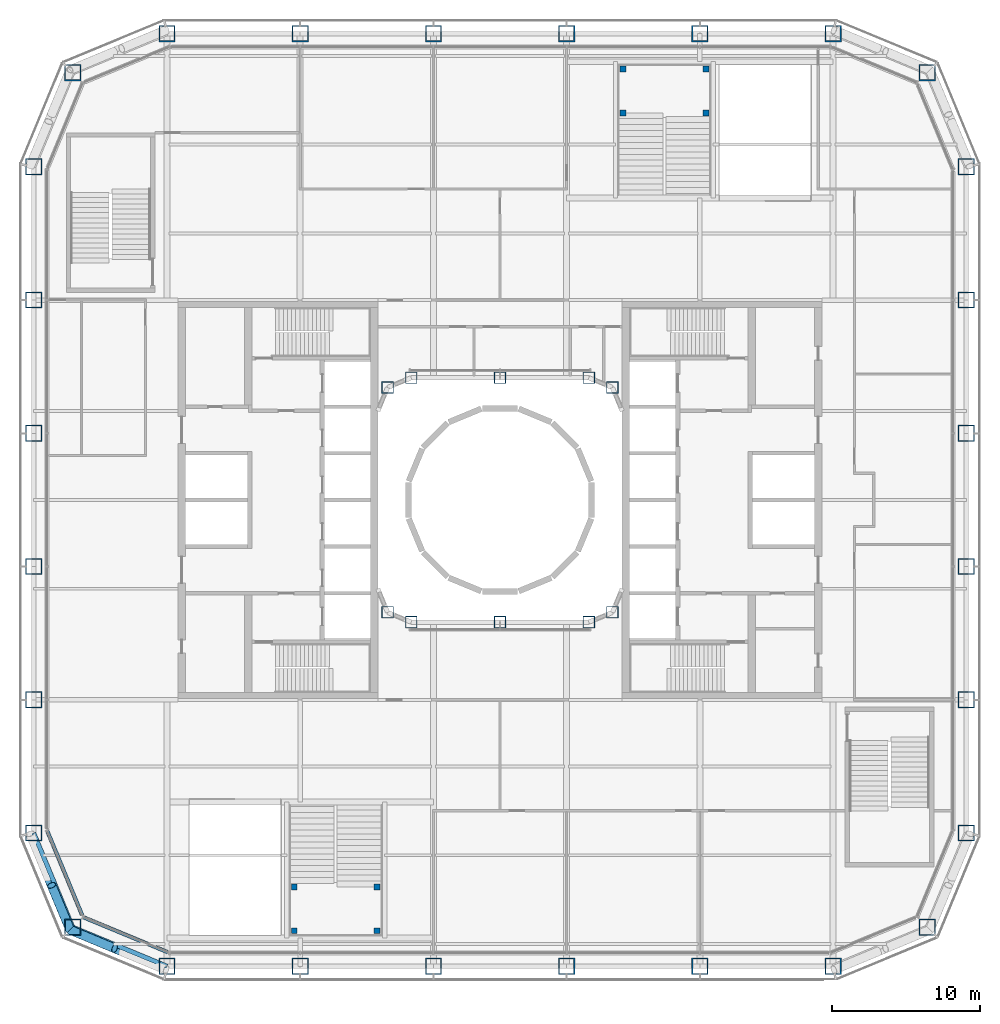
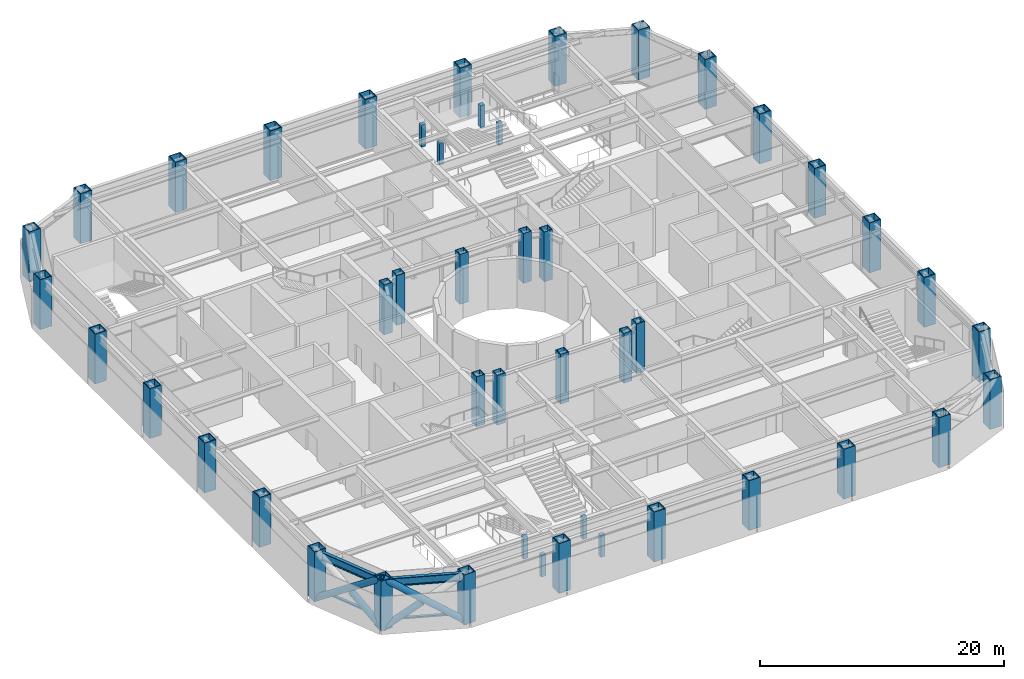
# One storey, part 1 of 25: 46 columns, 6 members, 2 beams, 2 elements without a shape of their own.
"""IFC4 building model written with IfcOpenShell, lengths in metres."""

from ifc_helpers import new_model, si_unit, direction, frame, origin, origin_2d, place, context, subcontext, project, spatial, rectangle, hollow_rectangle, hollow_circle, i_section, extrude, material, layer, layer_set, material_profile, profile_set, type_object, element, aggregate, save


model = new_model("IFC4")

# Units and contexts
model_context = context("Model", 3, precision=1e-05, world=origin(), true_north=direction((0.0, 1.0)))
body_context = subcontext(model_context, "Body", "Model", "MODEL_VIEW")
ifc_project = project(units=[si_unit("LENGTHUNIT", "METRE"), si_unit("AREAUNIT", "SQUARE_METRE"), si_unit("VOLUMEUNIT", "CUBIC_METRE"), si_unit("PLANEANGLEUNIT", "RADIAN"), si_unit("MASSUNIT", "GRAM", prefix="KILO")], contexts=[model_context])

# Site, building, storey
site_placement = place(None, origin())
site = spatial("IfcSite", under=ifc_project, at=site_placement, CompositionType="ELEMENT")
building_placement = place(site_placement, origin())
building = spatial("IfcBuilding", under=site, at=building_placement, Name="Siwar Civic Tower", CompositionType="ELEMENT")
storey_placement = place(building_placement, frame((0.0, 0.0, 7.199951171875)))
storey = spatial("IfcBuildingStorey", under=building, at=storey_placement, Name="L01", CompositionType="ELEMENT", Elevation=7.199951171875)

# Columns
ifc_material_1 = material(Name="Concrete C50/60", Category="concrete")
ifc_material_profile_1 = material_profile(ifc_material_1, rectangle(XDim=0.39990234375, YDim=0.39990234375, at=origin_2d()), Name="RC400x400")
ifc_profile_set_1 = profile_set([ifc_material_profile_1], Name="Concrete C50/60")
column_type_1 = type_object("IfcColumnType", Name="GND-GS-COLUMN", PredefinedType="COLUMN", material=ifc_profile_set_1)
for number, where, z_axis, x_axis, name in (
    (1, (-13.89990234375, -29.10009765625, 0.0), (0.0, 0.0, 1.0), (1.0, 0.0, 0.0), "L01/col/GS1-1-ao"),
    (2, (-13.89990234375, -26.14990234375, 0.0), (0.0, 0.0, 1.0), (1.0, 0.0, 0.0), "L01/col/GS1-1-ai"),
    (3, (-8.300048828125, -29.10009765625, 0.0), (0.0, 0.0, 1.0), (1.0, 0.0, 0.0), "L01/col/GS1-1-bo"),
    (4, (-8.300048828125, -26.14990234375, 0.0), (0.0, 0.0, 1.0), (1.0, 0.0, 0.0), "L01/col/GS1-1-bi"),
    (5, (8.300048828125, 29.10009765625, 0.0), (0.0, 0.0, 1.0), (1.0, 0.0, 0.0), "L01/col/GS2-1-ao"),
    (6, (8.300048828125, 26.14990234375, 0.0), (0.0, 0.0, 1.0), (1.0, 0.0, 0.0), "L01/col/GS2-1-ai"),
    (7, (13.89990234375, 29.10009765625, 0.0), (0.0, 0.0, 1.0), (1.0, 0.0, 0.0), "L01/col/GS2-1-bo"),
    (8, (13.89990234375, 26.14990234375, 0.0), (0.0, 0.0, 1.0), (1.0, 0.0, 0.0), "L01/col/GS2-1-bi"),
):
    element("IfcColumn", number, at=place(storey_placement, frame(where, z_axis=z_axis, x_axis=x_axis)), inside=storey, type_object=column_type_1, Name=name, PredefinedType="COLUMN", context=body_context, shape_type="SweptSolid", body=[
        extrude(rectangle(XDim=0.39990234375, YDim=0.39990234375, at=origin_2d()), origin(), (0.0, 0.0, 1.0), 2.199951171875),
    ])
ifc_material_2 = material(Name="Steel S460", Category="steel")
ifc_material_profile_2 = material_profile(ifc_material_2, hollow_rectangle(XDim=1.10009765625, YDim=1.10009765625, WallThickness=0.070068359375, at=origin_2d()), Name="BOX1100x1100x70")
ifc_profile_set_2 = profile_set([ifc_material_profile_2], Name="Steel S460")
column_type_2 = type_object("IfcColumnType", Name="STR-COL-BOX1100x1100x70", PredefinedType="COLUMN", material=ifc_profile_set_2)
for number, where, z_axis, x_axis, name in (
    (9, (-22.5, -31.5, 0.0), (0.0, 0.0, 1.0), (1.0, 0.0, 0.0), "L01/col/S-0"),
    (10, (-13.5, -31.5, 0.0), (0.0, 0.0, 1.0), (1.0, 0.0, 0.0), "L01/col/S-1"),
    (11, (-4.5, -31.5, 0.0), (0.0, 0.0, 1.0), (1.0, 0.0, 0.0), "L01/col/S-2"),
    (12, (4.5, -31.5, 0.0), (0.0, 0.0, 1.0), (1.0, 0.0, 0.0), "L01/col/S-3"),
    (13, (13.5, -31.5, 0.0), (0.0, 0.0, 1.0), (1.0, 0.0, 0.0), "L01/col/S-4"),
    (14, (22.5, -31.5, 0.0), (0.0, 0.0, 1.0), (1.0, 0.0, 0.0), "L01/col/SE1-0"),
    (15, (28.864013671875, -28.864013671875, 0.0), (0.0, 0.0, 1.0), (1.0, 0.0, 0.0), "L01/col/SE2-0"),
    (16, (31.5, -22.5, 0.0), (0.0, 0.0, 1.0), (1.0, 0.0, 0.0), "L01/col/E-0"),
    (17, (31.5, -13.5, 0.0), (0.0, 0.0, 1.0), (1.0, 0.0, 0.0), "L01/col/E-1"),
    (18, (31.5, -4.5, 0.0), (0.0, 0.0, 1.0), (1.0, 0.0, 0.0), "L01/col/E-2"),
    (19, (31.5, 4.5, 0.0), (0.0, 0.0, 1.0), (1.0, 0.0, 0.0), "L01/col/E-3"),
    (20, (31.5, 13.5, 0.0), (0.0, 0.0, 1.0), (1.0, 0.0, 0.0), "L01/col/E-4"),
    (21, (31.5, 22.5, 0.0), (0.0, 0.0, 1.0), (1.0, 0.0, 0.0), "L01/col/NE1-0"),
    (22, (28.864013671875, 28.864013671875, 0.0), (0.0, 0.0, 1.0), (1.0, 0.0, 0.0), "L01/col/NE2-0"),
    (23, (22.5, 31.5, 0.0), (0.0, 0.0, 1.0), (1.0, 0.0, 0.0), "L01/col/N-0"),
    (24, (13.5, 31.5, 0.0), (0.0, 0.0, 1.0), (1.0, 0.0, 0.0), "L01/col/N-1"),
    (25, (4.5, 31.5, 0.0), (0.0, 0.0, 1.0), (1.0, 0.0, 0.0), "L01/col/N-2"),
    (26, (-4.5, 31.5, 0.0), (0.0, 0.0, 1.0), (1.0, 0.0, 0.0), "L01/col/N-3"),
    (27, (-13.5, 31.5, 0.0), (0.0, 0.0, 1.0), (1.0, 0.0, 0.0), "L01/col/N-4"),
    (28, (-22.5, 31.5, 0.0), (0.0, 0.0, 1.0), (1.0, 0.0, 0.0), "L01/col/NW1-0"),
    (29, (-28.864013671875, 28.864013671875, 0.0), (0.0, 0.0, 1.0), (1.0, 0.0, 0.0), "L01/col/NW2-0"),
    (30, (-31.5, 22.5, 0.0), (0.0, 0.0, 1.0), (1.0, 0.0, 0.0), "L01/col/W-0"),
    (31, (-31.5, 13.5, 0.0), (0.0, 0.0, 1.0), (1.0, 0.0, 0.0), "L01/col/W-1"),
    (32, (-31.5, 4.5, 0.0), (0.0, 0.0, 1.0), (1.0, 0.0, 0.0), "L01/col/W-2"),
    (33, (-31.5, -4.5, 0.0), (0.0, 0.0, 1.0), (1.0, 0.0, 0.0), "L01/col/W-3"),
    (34, (-31.5, -13.5, 0.0), (0.0, 0.0, 1.0), (1.0, 0.0, 0.0), "L01/col/W-4"),
    (35, (-31.5, -22.5, 0.0), (0.0, 0.0, 1.0), (1.0, 0.0, 0.0), "L01/col/SW1-0"),
    (36, (-28.864013671875, -28.864013671875, 0.0), (0.0, 0.0, 1.0), (1.0, 0.0, 0.0), "L01/col/SW2-0"),
):
    element("IfcColumn", number, at=place(storey_placement, frame(where, z_axis=z_axis, x_axis=x_axis)), inside=storey, type_object=column_type_2, Name=name, PredefinedType="COLUMN", context=body_context, shape_type="SweptSolid", body=[
        extrude(hollow_rectangle(XDim=1.10009765625, YDim=1.10009765625, WallThickness=0.070068359375, at=origin_2d()), origin(), (0.0, 0.0, 1.0), 5.0),
    ])
ifc_material_3 = material(Name="Steel S355", Category="steel")
ifc_material_profile_3 = material_profile(ifc_material_3, hollow_rectangle(XDim=0.800048828125, YDim=0.800048828125, WallThickness=0.050048828125, at=origin_2d()), Name="BOX800x800x50")
ifc_profile_set_3 = profile_set([ifc_material_profile_3], Name="Steel S355")
column_type_3 = type_object("IfcColumnType", Name="STR-ICOL-BOX800x800x50", PredefinedType="COLUMN", material=ifc_profile_set_3)
for number, where, z_axis, x_axis, name in (
    (37, (-7.591064453125, -7.591064453125, 0.0), (0.0, 0.0, 1.0), (1.0, 0.0, 0.0), "L01/col/IS-0"),
    (38, (-6.0, -8.25, 0.0), (0.0, 0.0, 1.0), (1.0, 0.0, 0.0), "L01/col/IS-1"),
    (39, (0.0, -8.25, 0.0), (0.0, 0.0, 1.0), (1.0, 0.0, 0.0), "L01/col/IS-2"),
    (40, (6.0, -8.25, 0.0), (0.0, 0.0, 1.0), (1.0, 0.0, 0.0), "L01/col/IS-3"),
    (41, (7.591064453125, -7.591064453125, 0.0), (0.0, 0.0, 1.0), (1.0, 0.0, 0.0), "L01/col/IS-4"),
    (42, (-7.591064453125, 7.591064453125, 0.0), (0.0, 0.0, 1.0), (1.0, 0.0, 0.0), "L01/col/IN-0"),
    (43, (-6.0, 8.25, 0.0), (0.0, 0.0, 1.0), (1.0, 0.0, 0.0), "L01/col/IN-1"),
    (44, (0.0, 8.25, 0.0), (0.0, 0.0, 1.0), (1.0, 0.0, 0.0), "L01/col/IN-2"),
    (45, (6.0, 8.25, 0.0), (0.0, 0.0, 1.0), (1.0, 0.0, 0.0), "L01/col/IN-3"),
    (46, (7.591064453125, 7.591064453125, 0.0), (0.0, 0.0, 1.0), (1.0, 0.0, 0.0), "L01/col/IN-4"),
):
    element("IfcColumn", number, at=place(storey_placement, frame(where, z_axis=z_axis, x_axis=x_axis)), inside=storey, type_object=column_type_3, Name=name, PredefinedType="COLUMN", context=body_context, shape_type="SweptSolid", body=[
        extrude(hollow_rectangle(XDim=0.800048828125, YDim=0.800048828125, WallThickness=0.050048828125, at=origin_2d()), origin(), (0.0, 0.0, 1.0), 5.0),
    ])

# Curtain wall, member
ifc_material_4 = material(Name="Aluminium clad insulated panel", Category="aluminium")
ifc_layer = layer(ifc_material_4, 0.25)
ifc_layer_set = layer_set([ifc_layer], Name="Aluminium clad insulated panel")
curtain_wall_type = type_object("IfcCurtainWallType", Name="ENV-CW-HX", PredefinedType="NOTDEFINED", material=ifc_layer_set)
curtain_wall_1_placement = place(storey_placement, origin())
curtain_wall_1 = element("IfcCurtainWall", 47, at=curtain_wall_1_placement, inside=storey, type_object=curtain_wall_type, Name="Curtain wall H SW1", PredefinedType="NOTDEFINED")
ifc_material_5 = material(Name="Aluminium 6063-T6", Category="aluminium")
ifc_material_profile_4 = material_profile(ifc_material_5, rectangle(XDim=0.25, YDim=0.139892578125, at=origin_2d()), Name="AL 250x140")
ifc_profile_set_4 = profile_set([ifc_material_profile_4], Name="Aluminium 6063-T6")
member_type_1 = type_object("IfcMemberType", Name="ENV-TRANSOM-H", PredefinedType="USERDEFINED", material=ifc_profile_set_4)
member_1_placement = place(storey_placement, frame((-30.584716796875, -22.35791015625, 0.070068359375), z_axis=(0.382672669604, -0.92388399052, 0.0), x_axis=(0.92388399052, 0.382672669604, 0.0)))
member_1 = element("IfcMember", 48, at=member_1_placement, type_object=member_type_1, Name="Transom H SW1 1", ObjectType="TRANSOM", PredefinedType="USERDEFINED", context=body_context, shape_type="SweptSolid", body=[
    extrude(rectangle(XDim=0.25, YDim=0.139892578125, at=origin_2d()), origin(), (0.0, 0.0, 1.0), 6.15966796875),
])
aggregate(curtain_wall_1, [member_1])

curtain_wall_2_placement = place(storey_placement, origin())
curtain_wall_2 = element("IfcCurtainWall", 49, at=curtain_wall_2_placement, inside=storey, type_object=curtain_wall_type, Name="Curtain wall H SW2", PredefinedType="NOTDEFINED")
member_2_placement = place(storey_placement, frame((-28.13818359375, -28.1904296875, 0.070068359375), z_axis=(0.92388399052, -0.382672669604, 0.0), x_axis=(0.382672669604, 0.92388399052, 0.0)))
member_2 = element("IfcMember", 50, at=member_2_placement, type_object=member_type_1, Name="Transom H SW2 1", ObjectType="TRANSOM", PredefinedType="USERDEFINED", context=body_context, shape_type="SweptSolid", body=[
    extrude(rectangle(XDim=0.25, YDim=0.139892578125, at=origin_2d()), origin(), (0.0, 0.0, 1.0), 6.15966796875),
])
aggregate(curtain_wall_2, [member_2])

# Members
ifc_material_6 = material(Name="Steel S355", Category="steel")
ifc_material_profile_5 = material_profile(ifc_material_6, hollow_circle(Radius=0.304931640625, WallThickness=0.030029296875, at=origin_2d()), Name="CHS610x30")
ifc_profile_set_5 = profile_set([ifc_material_profile_5], Name="Steel S355")
member_type_2 = type_object("IfcMemberType", Name="STR-BR-CHS610x30", PredefinedType="BRACE", material=ifc_profile_set_5)
member_3_placement = place(storey_placement, frame((-22.548828125, -31.7451171875, 0.0), z_axis=(-0.752344350468, 0.313403721941, 0.579444635312), x_axis=(-0.384538969033, -0.923108759191, 0.0)))
element("IfcMember", 51, at=member_3_placement, inside=storey, type_object=member_type_2, Name="L01/brc/ASW1-0-0-1", PredefinedType="BRACE", context=body_context, shape_type="SweptSolid", body=[
    extrude(hollow_circle(Radius=0.304931640625, WallThickness=0.030029296875, at=origin_2d()), origin(), (0.0, 0.0, 1.0), 8.62890625),
])
member_4_placement = place(storey_placement, frame((-29.040771484375, -29.040771484375, 0.0), z_axis=(0.752340560323, -0.313373422739, 0.5794659431), x_axis=(0.384508939914, 0.923121267833, 0.0)))
element("IfcMember", 52, at=member_4_placement, inside=storey, type_object=member_type_2, Name="L01/brc/ASW1-0-0-2", PredefinedType="BRACE", context=body_context, shape_type="SweptSolid", body=[
    extrude(hollow_circle(Radius=0.304931640625, WallThickness=0.030029296875, at=origin_2d()), origin(), (0.0, 0.0, 1.0), 3.99658203125),
])
member_5_placement = place(storey_placement, frame((-31.7451171875, -22.548828125, 0.0), z_axis=(0.313403721941, -0.752344350468, 0.579444635312), x_axis=(0.923108759191, 0.384538969033, 0.0)))
element("IfcMember", 53, at=member_5_placement, inside=storey, type_object=member_type_2, Name="L01/brc/ASW1-0-0-0", PredefinedType="BRACE", context=body_context, shape_type="SweptSolid", body=[
    extrude(hollow_circle(Radius=0.304931640625, WallThickness=0.030029296875, at=origin_2d()), origin(), (0.0, 0.0, 1.0), 8.62890625),
])
member_6_placement = place(storey_placement, frame((-29.040771484375, -29.040771484375, 0.0), z_axis=(-0.313373422739, 0.752340560323, 0.5794659431), x_axis=(-0.923121267833, -0.384508939914, 0.0)))
element("IfcMember", 54, at=member_6_placement, inside=storey, type_object=member_type_2, Name="L01/brc/ASW1-0-0-4", PredefinedType="BRACE", context=body_context, shape_type="SweptSolid", body=[
    extrude(hollow_circle(Radius=0.304931640625, WallThickness=0.030029296875, at=origin_2d()), origin(), (0.0, 0.0, 1.0), 3.99658203125),
])

# Beams
ifc_material_7 = material(Name="Steel S355", Category="steel")
ifc_material_profile_6 = material_profile(ifc_material_7, i_section(OverallWidth=0.302978515625, OverallDepth=0.81396484375, WebThickness=0.02099609375, FlangeThickness=0.0400390625, FilletRadius=0.030029296875, at=origin_2d()), Name="HEM800")
ifc_profile_set_6 = profile_set([ifc_material_profile_6], Name="Steel S355")
beam_type = type_object("IfcBeamType", Name="STR-SB-HEM800", PredefinedType="BEAM", material=ifc_profile_set_6)
for number, where, z_axis, x_axis, name in (
    (55, (-31.5, -22.5, 4.39306640625), (0.382674207535, -0.923883353507, 0.0), (0.923883353507, 0.382674207535, 0.0), "L01/bm/SSW1-0"),
    (56, (-28.864013671875, -28.864013671875, 4.39306640625), (0.923883353507, -0.382674207535, 0.0), (0.382674207535, 0.923883353507, 0.0), "L01/bm/SSW2-0"),
):
    element("IfcBeam", number, at=place(storey_placement, frame(where, z_axis=z_axis, x_axis=x_axis)), inside=storey, type_object=beam_type, Name=name, PredefinedType="BEAM", context=body_context, shape_type="SweptSolid", body=[
        extrude(i_section(OverallWidth=0.302978515625, OverallDepth=0.81396484375, WebThickness=0.02099609375, FlangeThickness=0.0400390625, FilletRadius=0.030029296875, at=origin_2d()), origin(), (0.0, 0.0, 1.0), 6.888427734375),
    ])

save(model, "model.ifc")
